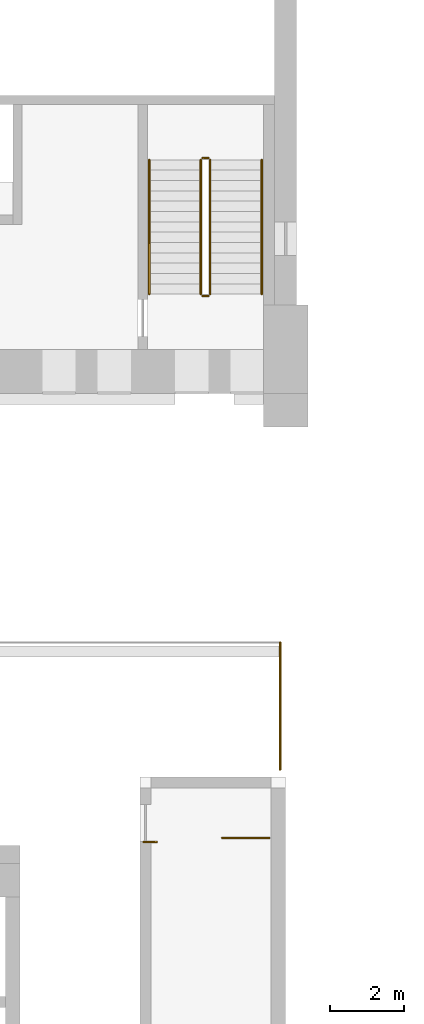
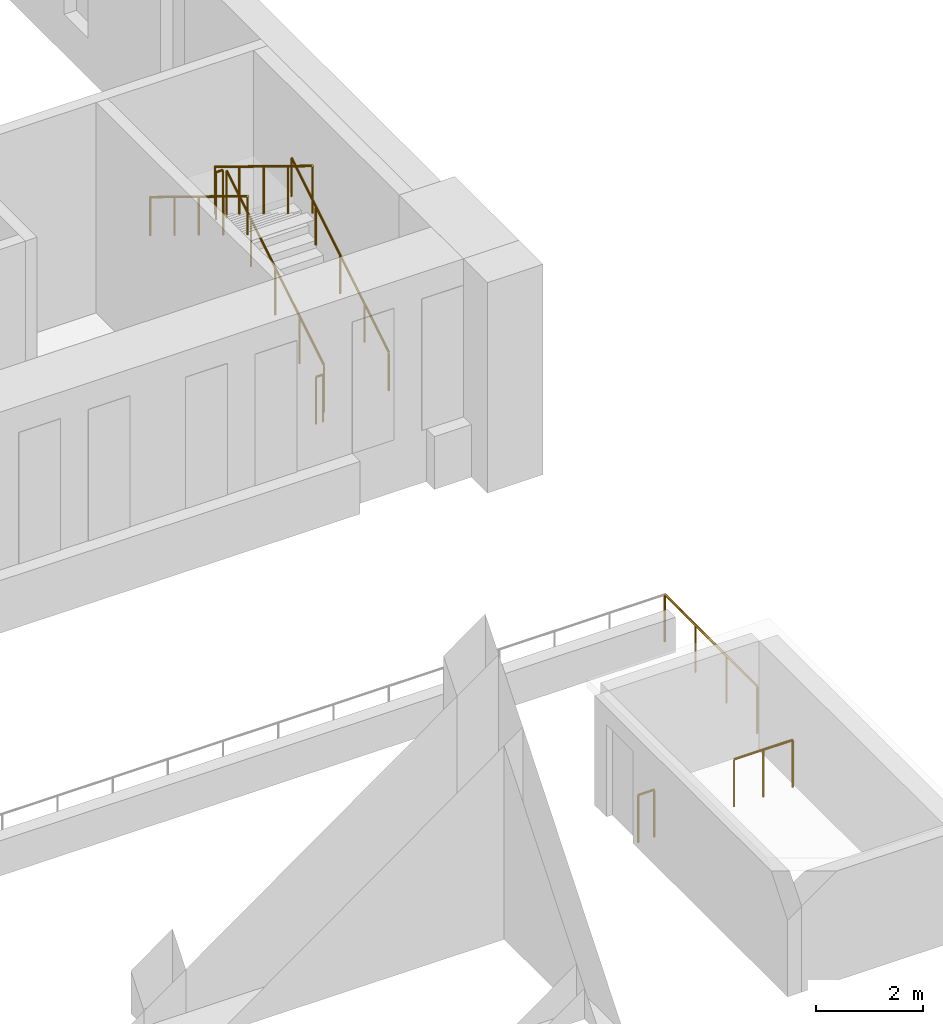
# One storey, part 122 of 131: 9 railings.
"""IFC4 building model written with IfcOpenShell, lengths in metres."""

from ifc_helpers import new_model, si_unit, direction, frame, origin, origin_2d, place, context, subcontext, project, spatial, circle, extrude, material, type_object, element, save


model = new_model("IFC4")

# Units and contexts
model_context = context("Model", 3, precision=1e-05, world=origin(), true_north=direction((0.0, 1.0)))
body_context = subcontext(model_context, "Body", "Model", "MODEL_VIEW")
ifc_project = project(units=[si_unit("LENGTHUNIT", "METRE"), si_unit("AREAUNIT", "SQUARE_METRE"), si_unit("VOLUMEUNIT", "CUBIC_METRE"), si_unit("PLANEANGLEUNIT", "RADIAN"), si_unit("MASSUNIT", "GRAM", prefix="KILO")], contexts=[model_context])

# Site, building, storey
site_placement = place(None, origin())
site = spatial("IfcSite", under=ifc_project, at=site_placement, CompositionType="ELEMENT")
building_placement = place(site_placement, origin())
building = spatial("IfcBuilding", under=site, at=building_placement, Name="Alderwick Market Hall", CompositionType="ELEMENT")
storey_placement = place(building_placement, frame((0.0, 0.0, 4.800048828125)))
storey = spatial("IfcBuildingStorey", under=building, at=storey_placement, Name="L00", CompositionType="ELEMENT", Elevation=4.800048828125)

# Railings
ifc_material_1 = material(Name="Steel ASTM A500 Grade C", Category="steel")
railing_type_1 = type_object("IfcRailingType", Name="A Roof Guard 1100", PredefinedType="GUARDRAIL", material=ifc_material_1)
railing_1_placement = place(storey_placement, frame((147.35009765625, 37.639892578125, 0.0)))
element("IfcRailing", 1, at=railing_1_placement, inside=storey, type_object=railing_type_1, Name="Stair guard", PredefinedType="GUARDRAIL", context=body_context, shape_type="SweptSolid", body=[
    extrude(circle(Radius=0.02392578125, at=origin_2d()), frame((0.0, 0.0, 1.076171875), z_axis=(1.0, 0.0, 0.0), x_axis=(0.0, 1.0, 0.0)), (0.0, 0.0, 1.0), 0.349853515625),
    extrude(circle(Radius=0.02099609375, at=origin_2d()), origin(), (0.0, 0.0, 1.0), 1.052001953125),
    extrude(circle(Radius=0.02099609375, at=origin_2d()), frame((0.349853515625, 0.0, 0.0)), (0.0, 0.0, 1.0), 1.052001953125),
])
railing_2_placement = place(storey_placement, frame((151.050048828125, 43.050048828125, 0.0)))
element("IfcRailing", 2, at=railing_2_placement, inside=storey, type_object=railing_type_1, Name="Roof guard", PredefinedType="GUARDRAIL", context=body_context, shape_type="SweptSolid", body=[
    extrude(circle(Radius=0.02392578125, at=origin_2d()), frame((0.0, 0.0, 1.076171875), z_axis=(0.0, -1.0, 0.0), x_axis=(1.0, 0.0, 0.0)), (0.0, 0.0, 1.0), 3.449951171875),
    extrude(circle(Radius=0.02099609375, at=origin_2d()), origin(), (0.0, 0.0, 1.0), 1.052001953125),
    extrude(circle(Radius=0.02099609375, at=origin_2d()), frame((0.0, -1.14990234375, 0.0)), (0.0, 0.0, 1.0), 1.052001953125),
    extrude(circle(Radius=0.02099609375, at=origin_2d()), frame((0.0, -2.300048828125, 0.0)), (0.0, 0.0, 1.0), 1.052001953125),
    extrude(circle(Radius=0.02099609375, at=origin_2d()), frame((0.0, -3.449951171875, 0.0)), (0.0, 0.0, 1.0), 1.052001953125),
])
railing_3_placement = place(storey_placement, frame((150.75, 37.75, 0.0)))
element("IfcRailing", 3, at=railing_3_placement, inside=storey, type_object=railing_type_1, Name="Stair well guard", PredefinedType="GUARDRAIL", context=body_context, shape_type="SweptSolid", body=[
    extrude(circle(Radius=0.02392578125, at=origin_2d()), frame((0.0, 0.0, 1.076171875), z_axis=(-1.0, 0.0, 0.0), x_axis=(0.0, -1.0, 0.0)), (0.0, 0.0, 1.0), 1.27001953125),
    extrude(circle(Radius=0.02099609375, at=origin_2d()), origin(), (0.0, 0.0, 1.0), 1.052001953125),
    extrude(circle(Radius=0.02099609375, at=origin_2d()), frame((-0.635009765625, 0.0, 0.0)), (0.0, 0.0, 1.0), 1.052001953125),
    extrude(circle(Radius=0.02099609375, at=origin_2d()), frame((-1.27001953125, 0.0, 0.0)), (0.0, 0.0, 1.0), 1.052001953125),
])
ifc_material_2 = material(Name="Steel, painted", Category="steel")
railing_type_2 = type_object("IfcRailingType", Name="H Guard 1100", PredefinedType="GUARDRAIL", material=ifc_material_2)
railing_4_placement = place(storey_placement, frame((149.14990234375, 52.5, 0.17138671875)))
element("IfcRailing", 4, at=railing_4_placement, inside=storey, type_object=railing_type_2, Name="L00 H-SE stair guard 1", PredefinedType="GUARDRAIL", context=body_context, shape_type="SweptSolid", body=[
    extrude(circle(Radius=0.02392578125, at=origin_2d()), frame((0.0, 0.0, 1.076171875), z_axis=(0.0, 0.852850264322, 0.5221555579), x_axis=(-1.0, 0.0, 0.0)), (0.0, 0.0, 1.0), 4.267822265625),
    extrude(circle(Radius=0.02099609375, at=origin_2d()), origin(), (0.0, 0.0, 1.0), 1.052001953125),
    extrude(circle(Radius=0.02099609375, at=origin_2d()), frame((0.0, 0.909912109375, 0.55712890625)), (0.0, 0.0, 1.0), 1.052001953125),
    extrude(circle(Radius=0.02099609375, at=origin_2d()), frame((0.0, 1.81982421875, 1.1142578125)), (0.0, 0.0, 1.0), 1.052001953125),
    extrude(circle(Radius=0.02099609375, at=origin_2d()), frame((0.0, 2.72998046875, 1.67138671875)), (0.0, 0.0, 1.0), 1.052001953125),
    extrude(circle(Radius=0.02099609375, at=origin_2d()), frame((0.0, 3.639892578125, 2.228515625)), (0.0, 0.0, 1.0), 1.052001953125),
])
railing_5_placement = place(storey_placement, frame((149.10009765625, 56.18994140625, 2.39990234375)))
element("IfcRailing", 5, at=railing_5_placement, inside=storey, type_object=railing_type_2, Name="L00 H-SE stair guard 2", PredefinedType="GUARDRAIL", context=body_context, shape_type="SweptSolid", body=[
    extrude(circle(Radius=0.02392578125, at=origin_2d()), frame((0.0, 0.0, 1.076171875), z_axis=(-1.0, 0.0, 0.0), x_axis=(0.0, -1.0, 0.0)), (0.0, 0.0, 1.0), 0.150146484375),
    extrude(circle(Radius=0.02099609375, at=origin_2d()), origin(), (0.0, 0.0, 1.0), 1.052001953125),
    extrude(circle(Radius=0.02099609375, at=origin_2d()), frame((-0.150146484375, 0.0, 0.0)), (0.0, 0.0, 1.0), 1.052001953125),
])
railing_6_placement = place(storey_placement, frame((148.89990234375, 56.139892578125, 2.5712890625)))
element("IfcRailing", 6, at=railing_6_placement, inside=storey, type_object=railing_type_2, Name="L00 H-SE stair guard 3", PredefinedType="GUARDRAIL", context=body_context, shape_type="SweptSolid", body=[
    extrude(circle(Radius=0.02392578125, at=origin_2d()), frame((0.0, 0.0, 1.076171875), z_axis=(0.0, -0.852824790078, 0.522197163366), x_axis=(1.0, 0.0, 0.0)), (0.0, 0.0, 1.0), 4.26806640625),
    extrude(circle(Radius=0.02099609375, at=origin_2d()), origin(), (0.0, 0.0, 1.0), 1.052001953125),
    extrude(circle(Radius=0.02099609375, at=origin_2d()), frame((0.0, -0.909912109375, 0.55712890625)), (0.0, 0.0, 1.0), 1.052001953125),
    extrude(circle(Radius=0.02099609375, at=origin_2d()), frame((0.0, -1.81982421875, 1.1142578125)), (0.0, 0.0, 1.0), 1.052001953125),
    extrude(circle(Radius=0.02099609375, at=origin_2d()), frame((0.0, -2.72998046875, 1.671630859375)), (0.0, 0.0, 1.0), 1.052001953125),
    extrude(circle(Radius=0.02099609375, at=origin_2d()), frame((0.0, -3.639892578125, 2.228759765625)), (0.0, 0.0, 1.0), 1.052001953125),
])
railing_7_placement = place(storey_placement, frame((149.10009765625, 52.449951171875, 0.0)))
element("IfcRailing", 7, at=railing_7_placement, inside=storey, type_object=railing_type_2, Name="L00 H-SE stair guard 4", PredefinedType="GUARDRAIL", context=body_context, shape_type="SweptSolid", body=[
    extrude(circle(Radius=0.02392578125, at=origin_2d()), frame((0.0, 0.0, 1.076171875), z_axis=(-1.0, 0.0, 0.0), x_axis=(0.0, -1.0, 0.0)), (0.0, 0.0, 1.0), 0.150146484375),
    extrude(circle(Radius=0.02099609375, at=origin_2d()), origin(), (0.0, 0.0, 1.0), 1.052001953125),
    extrude(circle(Radius=0.02099609375, at=origin_2d()), frame((-0.150146484375, 0.0, 0.0)), (0.0, 0.0, 1.0), 1.052001953125),
])
railing_type_3 = type_object("IfcRailingType", Name="H Handrail 900", PredefinedType="HANDRAIL", material=ifc_material_2)
railing_8_placement = place(storey_placement, frame((150.550048828125, 52.5, 0.17138671875)))
element("IfcRailing", 8, at=railing_8_placement, inside=storey, type_object=railing_type_3, Name="L00 H-SE stair handrail 1", PredefinedType="HANDRAIL", context=body_context, shape_type="SweptSolid", body=[
    extrude(circle(Radius=0.02392578125, at=origin_2d()), frame((0.0, 0.0, 0.8759765625), z_axis=(0.0, 0.852850264322, 0.5221555579), x_axis=(-1.0, 0.0, 0.0)), (0.0, 0.0, 1.0), 4.267822265625),
    extrude(circle(Radius=0.02099609375, at=origin_2d()), origin(), (0.0, 0.0, 1.0), 0.851806640625),
    extrude(circle(Radius=0.02099609375, at=origin_2d()), frame((0.0, 0.909912109375, 0.55712890625)), (0.0, 0.0, 1.0), 0.851806640625),
    extrude(circle(Radius=0.02099609375, at=origin_2d()), frame((0.0, 1.81982421875, 1.1142578125)), (0.0, 0.0, 1.0), 0.851806640625),
    extrude(circle(Radius=0.02099609375, at=origin_2d()), frame((0.0, 2.72998046875, 1.67138671875)), (0.0, 0.0, 1.0), 0.851806640625),
    extrude(circle(Radius=0.02099609375, at=origin_2d()), frame((0.0, 3.639892578125, 2.228515625)), (0.0, 0.0, 1.0), 0.851806640625),
])
railing_9_placement = place(storey_placement, frame((147.5, 56.139892578125, 2.5712890625)))
element("IfcRailing", 9, at=railing_9_placement, inside=storey, type_object=railing_type_3, Name="L00 H-SE stair handrail 2", PredefinedType="HANDRAIL", context=body_context, shape_type="SweptSolid", body=[
    extrude(circle(Radius=0.02392578125, at=origin_2d()), frame((0.0, 0.0, 0.8759765625), z_axis=(0.0, -0.852824790078, 0.522197163366), x_axis=(1.0, 0.0, 0.0)), (0.0, 0.0, 1.0), 4.26806640625),
    extrude(circle(Radius=0.02099609375, at=origin_2d()), origin(), (0.0, 0.0, 1.0), 0.851806640625),
    extrude(circle(Radius=0.02099609375, at=origin_2d()), frame((0.0, -0.909912109375, 0.55712890625)), (0.0, 0.0, 1.0), 0.851806640625),
    extrude(circle(Radius=0.02099609375, at=origin_2d()), frame((0.0, -1.81982421875, 1.1142578125)), (0.0, 0.0, 1.0), 0.851806640625),
    extrude(circle(Radius=0.02099609375, at=origin_2d()), frame((0.0, -2.72998046875, 1.671630859375)), (0.0, 0.0, 1.0), 0.851806640625),
    extrude(circle(Radius=0.02099609375, at=origin_2d()), frame((0.0, -3.639892578125, 2.228759765625)), (0.0, 0.0, 1.0), 0.851806640625),
])

save(model, "model.ifc")
